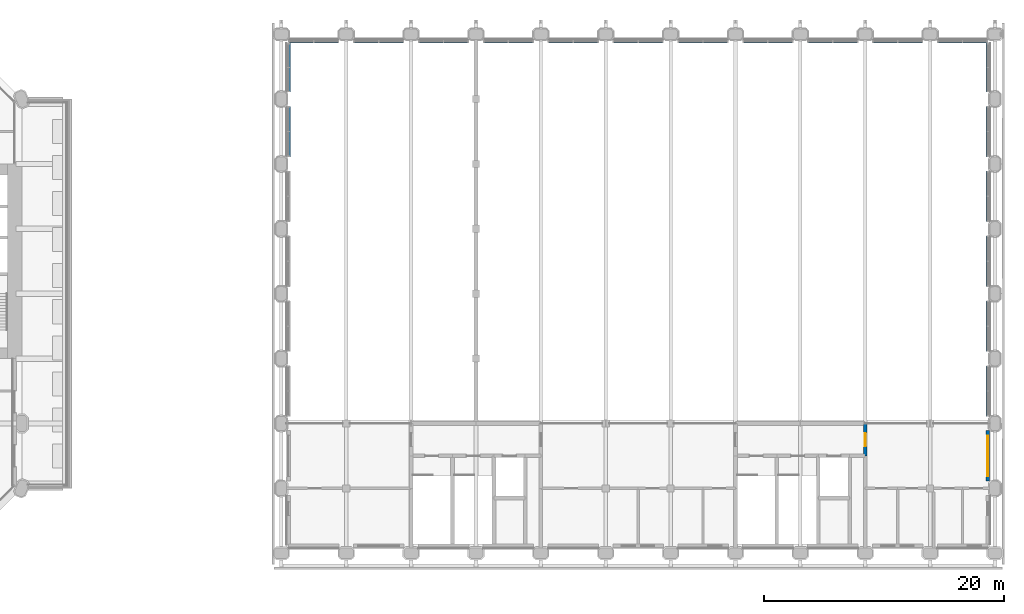
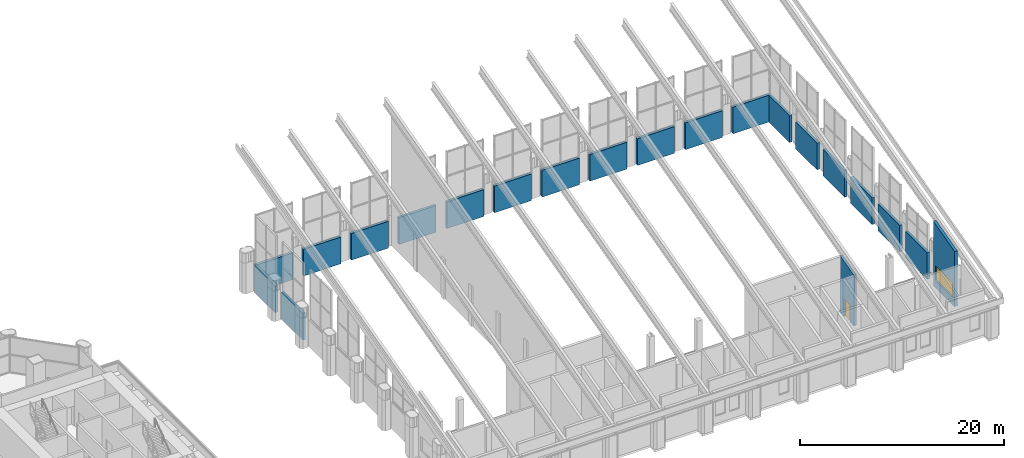
# One storey, part 32 of 42: 21 walls, 1 door, 1 window, 2 openings.
"""IFC4 building model written with IfcOpenShell, lengths in metres."""

from ifc_helpers import new_model, si_unit, direction, frame, frame_2d, origin, place, context, subcontext, project, spatial, polyline, rectangle, outline, extrude, material, layer, layer_set, type_object, element, fill, save


model = new_model("IFC4")

# Units and contexts
model_context = context("Model", 3, precision=1e-05, world=origin(), true_north=direction((0.0, 1.0)))
body_context = subcontext(model_context, "Body", "Model", "MODEL_VIEW")
ifc_project = project(units=[si_unit("LENGTHUNIT", "METRE"), si_unit("AREAUNIT", "SQUARE_METRE"), si_unit("VOLUMEUNIT", "CUBIC_METRE"), si_unit("PLANEANGLEUNIT", "RADIAN"), si_unit("MASSUNIT", "GRAM", prefix="KILO")], contexts=[model_context])

# Site, building, storey
site_placement = place(None, origin())
site = spatial("IfcSite", under=ifc_project, at=site_placement, CompositionType="ELEMENT")
building_placement = place(site_placement, origin())
building = spatial("IfcBuilding", under=site, at=building_placement, Name="Tabaq Tower and Sports Hall", CompositionType="ELEMENT")
storey_placement = place(building_placement, frame((0.0, 0.0, 19.800048828125)))
storey = spatial("IfcBuildingStorey", under=building, at=storey_placement, Name="L03", CompositionType="ELEMENT", Elevation=19.800048828125)

# Wall, opening, door
ifc_material_1 = material(Name="Concrete C50/60", Category="concrete")
ifc_layer_1 = layer(ifc_material_1, 0.300048828125)
ifc_layer_set_1 = layer_set([ifc_layer_1], Name="HALL CORE WALL RC 300 C50/60")
wall_type_1 = type_object("IfcWallType", Name="HALL CORE WALL RC 300 C50/60", PredefinedType="SHEAR", material=ifc_layer_set_1)
wall_1_placement = place(storey_placement, frame((113.39990234375, 8.10009765625, 0.0), z_axis=(0.0, 0.0, 1.0), x_axis=(0.0, 1.0, 0.0)))
wall_1 = element("IfcWall", 1, at=wall_1_placement, inside=storey, type_object=wall_type_1, Name="L03 core wall 019", PredefinedType="SHEAR", context=body_context, shape_type="SweptSolid", body=[
    extrude(outline(polyline([(0.0, 0.0), (2.699951171875, 0.0), (2.699951171875, 6.791015625), (0.0, 6.0673828125), (0.0, 0.0)])), frame((0.0, 0.14990234375, 0.0), z_axis=(0.0, -1.0, 0.0), x_axis=(1.0, 0.0, 0.0)), (0.0, 0.0, 1.0), 0.300048828125),
])
opening_1_placement = place(wall_1_placement, frame((0.800048828125, 0.0, 0.0)))
opening_1 = element("IfcOpeningElement", 2, at=opening_1_placement, cuts=wall_1, Name="Opening HD073", PredefinedType="OPENING", context=body_context, shape_type="SweptSolid", body=[
    extrude(rectangle(XDim=1.10009765625, YDim=2.10009765625, at=frame_2d((0.550048828125, 1.050048828125))), frame((0.0, 0.14990234375, 0.0), z_axis=(0.0, -1.0, 0.0), x_axis=(1.0, 0.0, 0.0)), (0.0, 0.0, 1.0), 0.300048828125),
])
ifc_material_2 = material(Name="Steel fire door leaf in steel frame", Category="steel")
door_type = type_object("IfcDoorType", Name="HALL FIRE DOOR 1100x2100", OperationType="SINGLE_SWING_LEFT", PredefinedType="DOOR", material=ifc_material_2)
door_placement = place(opening_1_placement, origin())
door = element("IfcDoor", 3, at=door_placement, inside=storey, type_object=door_type, Name="Door HD073", OperationType="SINGLE_SWING_LEFT", OverallHeight=2.10009765625, OverallWidth=1.10009765625, PredefinedType="DOOR", context=body_context, shape_type="SweptSolid", body=[
    extrude(rectangle(XDim=1.10009765625, YDim=2.10009765625, at=frame_2d((0.550048828125, 1.050048828125))), frame((0.0, 0.02490234375, 0.0), z_axis=(0.0, -1.0, 0.0), x_axis=(1.0, 0.0, 0.0)), (0.0, 0.0, 1.0), 0.050048828125),
])
fill(opening_1, door)

# Walls
ifc_material_3 = material(Name="White precast concrete C60/75", Category="concrete")
ifc_layer_2 = layer(ifc_material_3, 0.300048828125)
ifc_layer_set_2 = layer_set([ifc_layer_2], Name="White precast concrete C60/75 external wall 300")
wall_type_2 = type_object("IfcWallType", Name="White precast concrete C60/75 external wall 300", PredefinedType="SOLIDWALL", material=ifc_layer_set_2)
wall_2_placement = place(storey_placement, frame((65.39990234375, 42.60009765625, 0.0), z_axis=(0.0, 0.0, 1.0), x_axis=(1.0, 0.0, 0.0)))
element("IfcWall", 4, at=wall_2_placement, inside=storey, type_object=wall_type_2, Name="L03 N facade panel", PredefinedType="SOLIDWALL", context=body_context, shape_type="SweptSolid", body=[
    extrude(rectangle(XDim=4.2001953125, YDim=0.300048828125, at=frame_2d((2.10009765625, 0.0))), origin(), (0.0, 0.0, 1.0), 3.199951171875),
])
for number, where, z_axis, x_axis, name in (
    (5, (70.800048828125, 42.60009765625, 0.0), (0.0, 0.0, 1.0), (1.0, 0.0, 0.0), "L03 N facade panel"),
    (6, (76.199951171875, 42.60009765625, 0.0), (0.0, 0.0, 1.0), (1.0, 0.0, 0.0), "L03 N facade panel"),
    (7, (81.60009765625, 42.60009765625, 0.0), (0.0, 0.0, 1.0), (1.0, 0.0, 0.0), "L03 N facade panel"),
    (8, (87.0, 42.60009765625, 0.0), (0.0, 0.0, 1.0), (1.0, 0.0, 0.0), "L03 N facade panel"),
):
    element("IfcWall", number, at=place(storey_placement, frame(where, z_axis=z_axis, x_axis=x_axis)), inside=storey, type_object=wall_type_2, Name=name, PredefinedType="SOLIDWALL", context=body_context, shape_type="SweptSolid", body=[
        extrude(rectangle(XDim=4.199951171875, YDim=0.300048828125, at=frame_2d((2.10009765625, 0.0))), origin(), (0.0, 0.0, 1.0), 3.199951171875),
    ])
wall_3_placement = place(storey_placement, frame((92.39990234375, 42.60009765625, 0.0), z_axis=(0.0, 0.0, 1.0), x_axis=(1.0, 0.0, 0.0)))
element("IfcWall", 9, at=wall_3_placement, inside=storey, type_object=wall_type_2, Name="L03 N facade panel", PredefinedType="SOLIDWALL", context=body_context, shape_type="SweptSolid", body=[
    extrude(rectangle(XDim=4.2001953125, YDim=0.300048828125, at=frame_2d((2.10009765625, 0.0))), origin(), (0.0, 0.0, 1.0), 3.199951171875),
])
for number, where, z_axis, x_axis, name in (
    (10, (97.800048828125, 42.60009765625, 0.0), (0.0, 0.0, 1.0), (1.0, 0.0, 0.0), "L03 N facade panel"),
    (11, (103.199951171875, 42.60009765625, 0.0), (0.0, 0.0, 1.0), (1.0, 0.0, 0.0), "L03 N facade panel"),
    (12, (108.60009765625, 42.60009765625, 0.0), (0.0, 0.0, 1.0), (1.0, 0.0, 0.0), "L03 N facade panel"),
    (13, (114.0, 42.60009765625, 0.0), (0.0, 0.0, 1.0), (1.0, 0.0, 0.0), "L03 N facade panel"),
):
    element("IfcWall", number, at=place(storey_placement, frame(where, z_axis=z_axis, x_axis=x_axis)), inside=storey, type_object=wall_type_2, Name=name, PredefinedType="SOLIDWALL", context=body_context, shape_type="SweptSolid", body=[
        extrude(rectangle(XDim=4.199951171875, YDim=0.300048828125, at=frame_2d((2.10009765625, 0.0))), origin(), (0.0, 0.0, 1.0), 3.199951171875),
    ])
wall_4_placement = place(storey_placement, frame((119.39990234375, 42.60009765625, 0.0), z_axis=(0.0, 0.0, 1.0), x_axis=(1.0, 0.0, 0.0)))
element("IfcWall", 14, at=wall_4_placement, inside=storey, type_object=wall_type_2, Name="L03 N facade panel", PredefinedType="SOLIDWALL", context=body_context, shape_type="SweptSolid", body=[
    extrude(rectangle(XDim=4.2001953125, YDim=0.300048828125, at=frame_2d((2.10009765625, 0.0))), origin(), (0.0, 0.0, 1.0), 3.199951171875),
])
wall_5_placement = place(storey_placement, frame((65.39990234375, 33.0, 0.0), z_axis=(0.0, 0.0, 1.0), x_axis=(0.0, 1.0, 0.0)))
element("IfcWall", 15, at=wall_5_placement, inside=storey, type_object=wall_type_2, Name="L03 W facade panel", PredefinedType="SOLIDWALL", context=body_context, shape_type="SweptSolid", body=[
    extrude(rectangle(XDim=4.199951171875, YDim=0.300048828125, at=frame_2d((2.10009765625, 0.0))), origin(), (0.0, 0.0, 1.0), 3.199951171875),
])
wall_6_placement = place(storey_placement, frame((65.39990234375, 38.39990234375, 0.0), z_axis=(0.0, 0.0, 1.0), x_axis=(0.0, 1.0, 0.0)))
element("IfcWall", 16, at=wall_6_placement, inside=storey, type_object=wall_type_2, Name="L03 W facade panel", PredefinedType="SOLIDWALL", context=body_context, shape_type="SweptSolid", body=[
    extrude(rectangle(XDim=4.050048828125, YDim=0.300048828125, at=frame_2d((2.02490234375, 0.0))), origin(), (0.0, 0.0, 1.0), 3.199951171875),
])

# Wall, opening, window
wall_7_placement = place(storey_placement, frame((123.60009765625, 6.0, 0.0), z_axis=(0.0, 0.0, 1.0), x_axis=(0.0, 1.0, 0.0)))
wall_7 = element("IfcWall", 17, at=wall_7_placement, inside=storey, type_object=wall_type_2, Name="L03 E facade panel", PredefinedType="SOLIDWALL", context=body_context, shape_type="SweptSolid", body=[
    extrude(outline(polyline([(0.0, 0.0), (4.199951171875, 0.0), (4.199951171875, 7.717529296875), (0.0, 6.592041015625), (0.0, 0.0)])), frame((0.0, 0.14990234375, 0.0), z_axis=(0.0, -1.0, 0.0), x_axis=(1.0, 0.0, 0.0)), (0.0, 0.0, 1.0), 0.300048828125),
])
opening_2_placement = place(wall_7_placement, frame((0.39990234375, 0.0, 0.89990234375)))
opening_2 = element("IfcOpeningElement", 18, at=opening_2_placement, cuts=wall_7, Name="Opening HW043", PredefinedType="OPENING", context=body_context, shape_type="SweptSolid", body=[
    extrude(rectangle(XDim=3.39990234375, YDim=1.699951171875, at=frame_2d((1.699951171875, 0.85009765625))), frame((0.0, 0.14990234375, 0.0), z_axis=(0.0, -1.0, 0.0), x_axis=(1.0, 0.0, 0.0)), (0.0, 0.0, 1.0), 0.300048828125),
])
ifc_material_4 = material(Name="Aluminium framed clear glazing", Category="aluminium")
window_type = type_object("IfcWindowType", Name="Window W1A", PartitioningType="SINGLE_PANEL", PredefinedType="WINDOW", material=ifc_material_4)
window_placement = place(opening_2_placement, origin())
window = element("IfcWindow", 19, at=window_placement, inside=storey, type_object=window_type, Name="Window HW043", OverallHeight=1.699951171875, OverallWidth=3.39990234375, PartitioningType="SINGLE_PANEL", PredefinedType="WINDOW", context=body_context, shape_type="SweptSolid", body=[
    extrude(rectangle(XDim=3.39990234375, YDim=1.699951171875, at=frame_2d((1.699951171875, 0.85009765625))), frame((0.0, 0.030029296875, 0.0), z_axis=(0.0, -1.0, 0.0), x_axis=(1.0, 0.0, 0.0)), (0.0, 0.0, 1.0), 0.06005859375),
])
fill(opening_2, window)

# Walls
wall_8_placement = place(storey_placement, frame((123.60009765625, 11.39990234375, 0.0), z_axis=(0.0, 0.0, 1.0), x_axis=(0.0, 1.0, 0.0)))
element("IfcWall", 20, at=wall_8_placement, inside=storey, type_object=wall_type_2, Name="L03 E facade panel", PredefinedType="SOLIDWALL", context=body_context, shape_type="SweptSolid", body=[
    extrude(rectangle(XDim=4.2001953125, YDim=0.300048828125, at=frame_2d((2.10009765625, 0.0))), origin(), (0.0, 0.0, 1.0), 3.199951171875),
])
for number, where, z_axis, x_axis, name in (
    (21, (123.60009765625, 16.800048828125, 0.0), (0.0, 0.0, 1.0), (0.0, 1.0, 0.0), "L03 E facade panel"),
    (22, (123.60009765625, 22.199951171875, 0.0), (0.0, 0.0, 1.0), (0.0, 1.0, 0.0), "L03 E facade panel"),
    (23, (123.60009765625, 27.60009765625, 0.0), (0.0, 0.0, 1.0), (0.0, 1.0, 0.0), "L03 E facade panel"),
    (24, (123.60009765625, 33.0, 0.0), (0.0, 0.0, 1.0), (0.0, 1.0, 0.0), "L03 E facade panel"),
):
    element("IfcWall", number, at=place(storey_placement, frame(where, z_axis=z_axis, x_axis=x_axis)), inside=storey, type_object=wall_type_2, Name=name, PredefinedType="SOLIDWALL", context=body_context, shape_type="SweptSolid", body=[
        extrude(rectangle(XDim=4.199951171875, YDim=0.300048828125, at=frame_2d((2.10009765625, 0.0))), origin(), (0.0, 0.0, 1.0), 3.199951171875),
    ])
wall_9_placement = place(storey_placement, frame((123.60009765625, 38.39990234375, 0.0), z_axis=(0.0, 0.0, 1.0), x_axis=(0.0, 1.0, 0.0)))
element("IfcWall", 25, at=wall_9_placement, inside=storey, type_object=wall_type_2, Name="L03 E facade panel", PredefinedType="SOLIDWALL", context=body_context, shape_type="SweptSolid", body=[
    extrude(rectangle(XDim=4.050048828125, YDim=0.300048828125, at=frame_2d((2.02490234375, 0.0))), origin(), (0.0, 0.0, 1.0), 3.199951171875),
])

save(model, "model.ifc")
